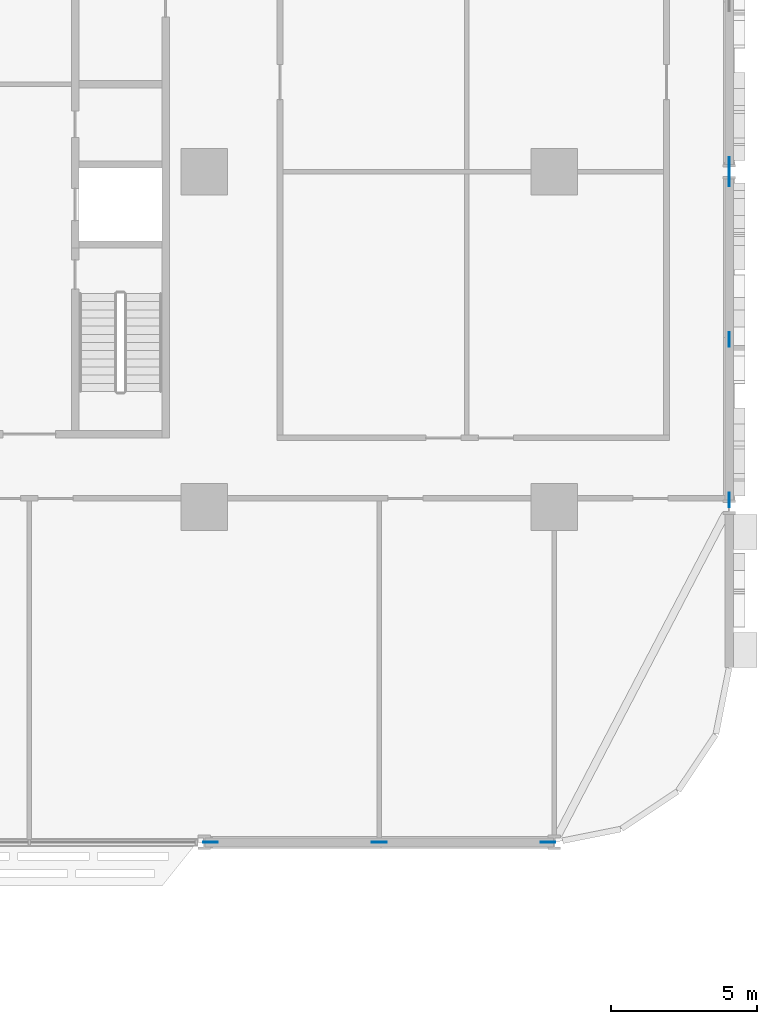
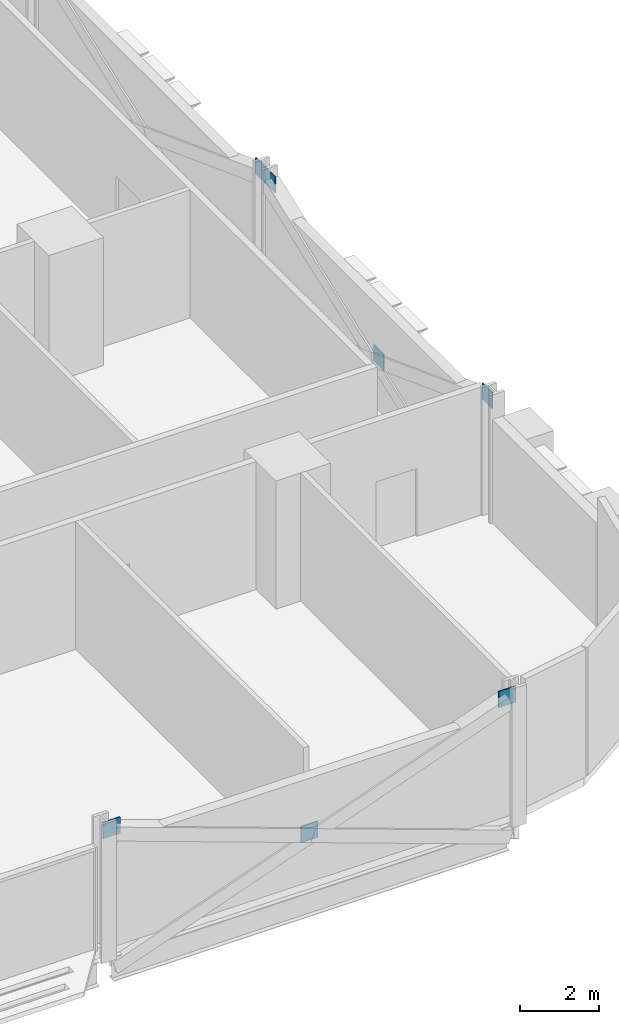
# One storey, part 19 of 26: 7 discrete accessories.
"""IFC4 building model written with IfcOpenShell, lengths in metres."""

from ifc_helpers import new_model, si_unit, direction, frame, origin, origin_2d, place, context, subcontext, project, spatial, rectangle, extrude, material, layer, layer_set, type_object, element, save


model = new_model("IFC4")

# Units and contexts
model_context = context("Model", 3, precision=1e-05, world=origin(), true_north=direction((0.0, 1.0)))
body_context = subcontext(model_context, "Body", "Model", "MODEL_VIEW")
ifc_project = project(units=[si_unit("LENGTHUNIT", "METRE"), si_unit("AREAUNIT", "SQUARE_METRE"), si_unit("VOLUMEUNIT", "CUBIC_METRE"), si_unit("PLANEANGLEUNIT", "RADIAN"), si_unit("MASSUNIT", "GRAM", prefix="KILO")], contexts=[model_context])

# Site, building, storey
site_placement = place(None, origin())
site = spatial("IfcSite", under=ifc_project, at=site_placement, CompositionType="ELEMENT")
building_placement = place(site_placement, origin())
building = spatial("IfcBuilding", under=site, at=building_placement, Name="Mahtab Terrace Research Tower", CompositionType="ELEMENT")
storey_placement = place(building_placement, frame((0.0, 0.0, 15.800048828125)))
storey = spatial("IfcBuildingStorey", under=building, at=storey_placement, Name="L03", CompositionType="ELEMENT", Elevation=15.800048828125)

# Discrete accessories
ifc_material = material(Name="Steel ASTM A992 Gr 50", Category="steel")
ifc_layer = layer(ifc_material, 0.030029296875)
ifc_layer_set = layer_set([ifc_layer], Name="Gusset plate 500x500x30")
discrete_accessory_type = type_object("IfcDiscreteAccessoryType", Name="Gusset plate 500x500x30", PredefinedType="USERDEFINED", material=ifc_layer_set)
for number, where, z_axis, x_axis, name in (
    (1, (30.2158203125, -23.0, 3.33154296875), (0.0, 0.0, 1.0), (1.0, 0.0, 0.0), "Gusset plate"),
    (2, (36.0, -23.0, 1.181640625), (0.0, 0.0, 1.0), (1.0, 0.0, 0.0), "Gusset plate"),
    (3, (41.7841796875, -23.0, 3.33154296875), (0.0, 0.0, 1.0), (1.0, 0.0, 0.0), "Gusset plate"),
    (4, (48.0, -11.251220703125, 3.33154296875), (0.0, 0.0, 1.0), (0.0, 1.0, 0.0), "Gusset plate"),
    (5, (48.0, -5.75, 1.181396484375), (0.0, 0.0, 1.0), (0.0, 1.0, 0.0), "Gusset plate"),
    (6, (48.0, -0.248779296875, 3.33154296875), (0.0, 0.0, 1.0), (0.0, 1.0, 0.0), "Gusset plate"),
    (7, (48.0, 0.248779296875, 3.33154296875), (0.0, 0.0, 1.0), (0.0, 1.0, 0.0), "Gusset plate"),
):
    element("IfcDiscreteAccessory", number, at=place(storey_placement, frame(where, z_axis=z_axis, x_axis=x_axis)), inside=storey, type_object=discrete_accessory_type, Name=name, ObjectType="GUSSET PLATE", PredefinedType="USERDEFINED", context=body_context, shape_type="SweptSolid", body=[
        extrude(rectangle(XDim=0.5, YDim=0.030029296875, at=origin_2d()), origin(), (0.0, 0.0, 1.0), 0.5),
    ])

save(model, "model.ifc")
